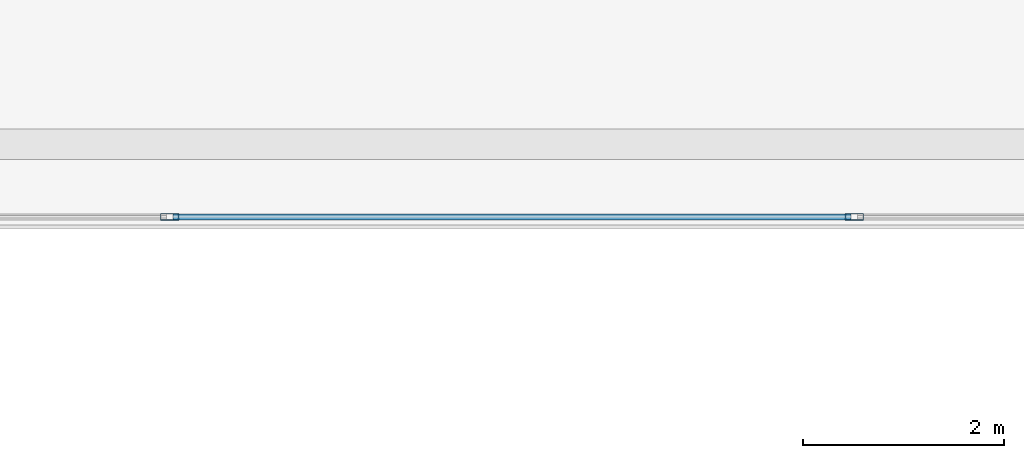
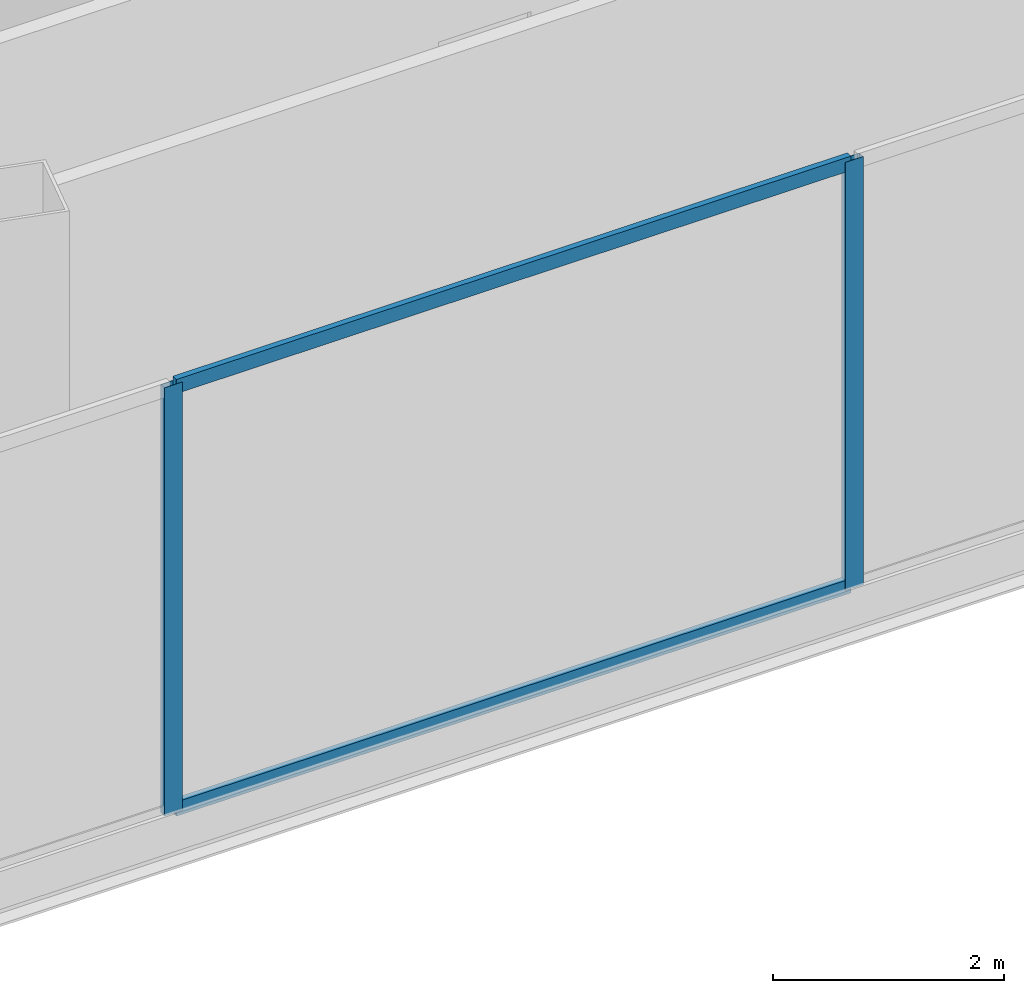
# One storey, part 9 of 42: 4 members, 1 element without a shape of its own.
"""IFC4 building model written with IfcOpenShell, lengths in metres."""

import ifcopenshell
import ifcopenshell.guid

model = None  # the IFC model being written
_history = None  # IfcOwnerHistory: only IFC2X3 demands one
_inside = {}  # id of a spatial element -> (the spatial element, [elements in it])
_under = {}  # id of a project, library or spatial element -> (it, [spatial elements below it])
_declared = {}  # id of a project -> (the project, [libraries it declares])
_typed = {}  # id of a type object -> (the type object, [elements of that type])
_made_of = {}  # id of a material, layer set ... -> (it, [elements and type objects made of it])


def new_model(schema):
    """Start an empty IFC model of exactly this schema.

    Asked for "IFC4X3", IfcOpenShell would pick the latest addendum, in which some entities
    have other attributes; the version numbers below select the first issue.
    IFC2X3 requires an IfcOwnerHistory on every rooted entity: one is made here for all.
    """
    global model, _history
    if schema == "IFC4X3":
        model = ifcopenshell.file(schema_version=(4, 3, 0, 0))
    else:
        model = ifcopenshell.file(schema=schema)
    _inside.clear()
    _under.clear()
    _declared.clear()
    _typed.clear()
    _made_of.clear()
    _history = None
    if model.schema == "IFC2X3":
        org = make("IfcOrganization", Name="unknown")
        user = make(
            "IfcPersonAndOrganization",
            ThePerson=make("IfcPerson", FamilyName="unknown"),
            TheOrganization=org,
        )
        app = make(
            "IfcApplication",
            ApplicationDeveloper=org,
            Version="unknown",
            ApplicationFullName="unknown",
            ApplicationIdentifier="unknown",
        )
        _history = make(
            "IfcOwnerHistory",
            OwningUser=user,
            OwningApplication=app,
            ChangeAction="ADDED",
            CreationDate=0,
        )
    return model


def make(cls, **values):
    """One entity of the class cls with the attributes given. An attribute that is None is left unset."""
    return model.create_entity(
        cls, **{name: value for name, value in values.items() if value is not None}
    )


def rooted(cls, **values):
    """An entity with a GlobalId (a new one), such as an element, a storey or a relation."""
    return make(cls, GlobalId=ifcopenshell.guid.new(), OwnerHistory=_history, **values)


def si_unit(unit_type, name, prefix=None):
    """IfcSIUnit, for example si_unit("LENGTHUNIT", "METRE", prefix="MILLI")."""
    return make("IfcSIUnit", UnitType=unit_type, Prefix=prefix, Name=name)


def assignment(units):
    """IfcUnitAssignment: the units of a project."""
    return None if units is None else make("IfcUnitAssignment", Units=units)


def point(xyz):
    """IfcCartesianPoint."""
    return None if xyz is None else make("IfcCartesianPoint", Coordinates=xyz)


def direction(xyz):
    """IfcDirection."""
    return None if xyz is None else make("IfcDirection", DirectionRatios=xyz)


def frame(location, z_axis=None, x_axis=None):
    """IfcAxis2Placement3D, a coordinate frame: its origin and axes. An axis left out is left unset."""
    return make(
        "IfcAxis2Placement3D",
        Location=point(location),
        Axis=direction(z_axis),
        RefDirection=direction(x_axis),
    )


def frame_2d(location, x_axis=None):
    """IfcAxis2Placement2D, a coordinate frame in the plane: its origin and x axis."""
    return make(
        "IfcAxis2Placement2D", Location=point(location), RefDirection=direction(x_axis)
    )


def origin():
    """The frame at (0, 0, 0) with its axes left unset."""
    return frame((0.0, 0.0, 0.0))


def origin_2d():
    """The frame at (0, 0) in the plane with its x axis left unset."""
    return frame_2d((0.0, 0.0))


def place(relative_to, where):
    """IfcLocalPlacement: puts the frame where relative to a parent placement (None: the world)."""
    return make(
        "IfcLocalPlacement", PlacementRelTo=relative_to, RelativePlacement=where
    )


def context(
    kind, dimensions, precision=None, world=None, true_north=None, identifier=None
):
    """IfcGeometricRepresentationContext, for example the 3D "Model" context."""
    return make(
        "IfcGeometricRepresentationContext",
        ContextIdentifier=identifier,
        ContextType=kind,
        CoordinateSpaceDimension=dimensions,
        Precision=precision,
        WorldCoordinateSystem=world,
        TrueNorth=true_north,
    )


def subcontext(parent, identifier, kind, view, scale=None):
    """IfcGeometricRepresentationSubContext, for example "Body" below "Model"."""
    return make(
        "IfcGeometricRepresentationSubContext",
        ContextIdentifier=identifier,
        ContextType=kind,
        ParentContext=parent,
        TargetScale=scale,
        TargetView=view,
    )


def project(units=None, contexts=None):
    """IfcProject with its units and contexts."""
    return rooted(
        "IfcProject",
        Name="project",
        RepresentationContexts=contexts,
        UnitsInContext=assignment(units),
    )


def spatial(cls, under=None, at=None, **own):
    """A site, building, storey or space (cls), placed at a placement, below another one or the project."""
    s = rooted(cls, ObjectPlacement=at, **own)
    if under is not None:
        _under.setdefault(under.id(), (under, []))[1].append(s)
    return s


def profile(cls, at=None, kind="AREA", **sizes):
    """A parametric profile (cls). Its sizes go by their IFC names, for example OverallWidth=200.0."""
    return make(cls, ProfileType=kind, Position=at, **sizes)


def hollow_rectangle(**sizes):
    """IfcRectangleHollowProfileDef."""
    return profile("IfcRectangleHollowProfileDef", **sizes)


def extrude(swept, where, along, depth):
    """IfcExtrudedAreaSolid: the profile swept, set in the frame where, extruded along a direction by depth."""
    return make(
        "IfcExtrudedAreaSolid",
        SweptArea=swept,
        Position=where,
        ExtrudedDirection=direction(along),
        Depth=depth,
    )


def shape(context_of_items, identifier, shape_type, items):
    """IfcShapeRepresentation: the items that make up one representation, for example the "Body"."""
    return make(
        "IfcShapeRepresentation",
        ContextOfItems=context_of_items,
        RepresentationIdentifier=identifier,
        RepresentationType=shape_type,
        Items=items,
    )


def source(mapping_origin, context_of_items, identifier, shape_type, items):
    """IfcRepresentationMap: a shape defined once, which mapped items show again and again."""
    return make(
        "IfcRepresentationMap",
        MappingOrigin=mapping_origin,
        MappedRepresentation=shape(context_of_items, identifier, shape_type, items),
    )


def transform(
    local_origin,
    x_axis=None,
    y_axis=None,
    z_axis=None,
    scale=None,
    scale2=None,
    scale3=None,
    uniform=True,
):
    """IfcCartesianTransformationOperator3D, or its non-uniform kind. x_axis, y_axis, z_axis: its Axis1, 2, 3."""
    if uniform:
        return make(
            "IfcCartesianTransformationOperator3D",
            Axis1=direction(x_axis),
            Axis2=direction(y_axis),
            LocalOrigin=point(local_origin),
            Scale=scale,
            Axis3=direction(z_axis),
        )
    return make(
        "IfcCartesianTransformationOperator3DnonUniform",
        Axis1=direction(x_axis),
        Axis2=direction(y_axis),
        LocalOrigin=point(local_origin),
        Scale=scale,
        Axis3=direction(z_axis),
        Scale2=scale2,
        Scale3=scale3,
    )


def mapped(mapping_source, mapping_target):
    """IfcMappedItem: shows the shape of a source again, moved by a transform."""
    return make(
        "IfcMappedItem", MappingSource=mapping_source, MappingTarget=mapping_target
    )


def material(Name=None, Category=None):
    """IfcMaterial."""
    return make("IfcMaterial", Name=Name, Category=Category)


def layer(
    of_material, thickness, ventilated=None, Name=None, Category=None, Priority=None
):
    """IfcMaterialLayer: one layer of a wall or slab, of a material (None: an air gap)."""
    return make(
        "IfcMaterialLayer",
        Material=of_material,
        LayerThickness=thickness,
        IsVentilated=ventilated,
        Name=Name,
        Category=Category,
        Priority=Priority,
    )


def layer_set(layers, Name=None):
    """IfcMaterialLayerSet."""
    return make("IfcMaterialLayerSet", MaterialLayers=layers, LayerSetName=Name)


def material_profile(
    of_material, cross_section, Name=None, Category=None, Priority=None
):
    """IfcMaterialProfile: a cross section and its material."""
    return make(
        "IfcMaterialProfile",
        Name=Name,
        Material=of_material,
        Profile=cross_section,
        Priority=Priority,
        Category=Category,
    )


def profile_set(profiles, Name=None, composite=None):
    """IfcMaterialProfileSet."""
    return make(
        "IfcMaterialProfileSet",
        Name=Name,
        MaterialProfiles=profiles,
        CompositeProfile=composite,
    )


def made_of(thing, what):
    """Note that an element or type object is made of a material, layer set ...; save() writes the relation."""
    if what is not None:
        _made_of.setdefault(what.id(), (what, []))[1].append(thing)
    return thing


def type_object(cls, material=None, **own):
    """A type object (cls), such as IfcWallType, which elements share."""
    return made_of(rooted(cls, **own), material)


def element(
    cls,
    number,
    at=None,
    inside=None,
    cuts=None,
    type_object=None,
    material=None,
    context=None,
    identifier="Body",
    shape_type=None,
    held_by="IfcProductDefinitionShape",
    body=None,
    shapes=None,
    **own,
):
    """One element of the class cls, such as IfcWall. Its Tag is "e" and its number.

    at: its placement. inside: the storey or other place that contains it. cuts: it is an
    opening in that element (IfcRelVoidsElement). A single representation is given by context,
    identifier, shape_type and body (its items); several are given by shapes. held_by: the class
    of the entity that holds the representations. save() writes the other relations.
    """
    e = rooted(cls, Tag="e%d" % number, ObjectPlacement=at, **own)
    if body is not None:
        shapes = [shape(context, identifier, shape_type, body)]
    if shapes is not None:
        e.Representation = make(held_by, Representations=shapes)
    if inside is not None:
        _inside.setdefault(inside.id(), (inside, []))[1].append(e)
    if cuts is not None:
        rooted(
            "IfcRelVoidsElement", RelatingBuildingElement=cuts, RelatedOpeningElement=e
        )
    if type_object is not None:
        _typed.setdefault(type_object.id(), (type_object, []))[1].append(e)
    return made_of(e, material)


def aggregate(whole, parts):
    """IfcRelAggregates: a whole, such as a stair, and the parts it consists of."""
    return rooted("IfcRelAggregates", RelatingObject=whole, RelatedObjects=parts)


def save(model, path):
    """Write the relations noted so far, then the file.

    IfcRelAggregates (storeys below a building ...), IfcRelContainedInSpatialStructure (elements
    in a storey), IfcRelDefinesByType, IfcRelAssociatesMaterial and IfcRelDeclares: one each for
    every whole, place, type object, material and project.
    """
    for whole, parts in _under.values():
        aggregate(whole, parts)
    for where, things in _inside.values():
        rooted(
            "IfcRelContainedInSpatialStructure",
            RelatedElements=things,
            RelatingStructure=where,
        )
    for kind, things in _typed.values():
        rooted("IfcRelDefinesByType", RelatedObjects=things, RelatingType=kind)
    for what, things in _made_of.values():
        rooted("IfcRelAssociatesMaterial", RelatedObjects=things, RelatingMaterial=what)
    for by, libraries in _declared.values():
        rooted("IfcRelDeclares", RelatingContext=by, RelatedDefinitions=libraries)
    model.write(path)


model = new_model("IFC4")

# Units and contexts
model_context = context("Model", 3, precision=1e-05, world=origin(), true_north=direction((0.0, 1.0)))
body_context = subcontext(model_context, "Body", "Model", "MODEL_VIEW")
ifc_project = project(units=[si_unit("LENGTHUNIT", "METRE"), si_unit("AREAUNIT", "SQUARE_METRE"), si_unit("VOLUMEUNIT", "CUBIC_METRE"), si_unit("PLANEANGLEUNIT", "RADIAN"), si_unit("MASSUNIT", "GRAM", prefix="KILO"), si_unit("THERMODYNAMICTEMPERATUREUNIT", "KELVIN"), si_unit("POWERUNIT", "WATT")], contexts=[model_context])

# Site, building, storey
site_placement = place(None, origin())
site = spatial("IfcSite", under=ifc_project, at=site_placement, CompositionType="ELEMENT")
building_placement = place(site_placement, origin())
building = spatial("IfcBuilding", under=site, at=building_placement, Name="Yunzhuo Pagoda Commons", CompositionType="ELEMENT")
storey_placement = place(building_placement, frame((0.0, 0.0, 4.800048828125)))
storey = spatial("IfcBuildingStorey", under=building, at=storey_placement, Name="L02", CompositionType="ELEMENT", Elevation=4.800048828125)

# Curtain wall, members
ifc_material = material(Name="Anodized aluminium 6063-T6", Category="aluminium")
ifc_layer = layer(ifc_material, 0.179931640625)
ifc_layer_set = layer_set([ifc_layer], Name="Anodized aluminium 6063-T6")
curtain_wall_type = type_object("IfcCurtainWallType", Name="CW-POD Waterfront Podium Curtain Wall", PredefinedType="NOTDEFINED", material=ifc_layer_set)
curtain_wall_placement = place(storey_placement, origin())
curtain_wall = element("IfcCurtainWall", 1, at=curtain_wall_placement, inside=storey, type_object=curtain_wall_type, Name="L02 curtain wall CW-L02-S3", PredefinedType="NOTDEFINED")
ifc_material_profile_1 = material_profile(ifc_material, hollow_rectangle(XDim=0.06494140625, YDim=0.179931640625, WallThickness=0.00390625, at=origin_2d()), Name="Anodized aluminium 6063-T6")
ifc_profile_set_1 = profile_set([ifc_material_profile_1], Name="Anodized aluminium 6063-T6")
member_type_1 = type_object("IfcMemberType", Name="CW-POD-M Mullion RHS 180x65x4", PredefinedType="MULLION", material=ifc_profile_set_1)
shared_shape_1 = source(origin(), body_context, "Body", "SweptSolid", [
    extrude(hollow_rectangle(XDim=0.06494140625, YDim=0.179931640625, WallThickness=0.00390625, at=origin_2d()), origin(), (0.0, 0.0, 1.0), 4.52001953125),
])
member_1_placement = place(storey_placement, frame((41.199951171875, 6.080078125, 0.0), z_axis=(0.0, 0.0, 1.0), x_axis=(0.0, 1.0, 0.0)))
member_1 = element("IfcMember", 2, at=member_1_placement, type_object=member_type_1, Name="CW mullion 2", PredefinedType="MULLION", context=body_context, shape_type="MappedRepresentation", body=[
    mapped(shared_shape_1, transform((0.0, 0.0, 0.0), scale=1.0)),
])
member_2_placement = place(storey_placement, frame((48.0, 6.080078125, 0.0), z_axis=(0.0, 0.0, 1.0), x_axis=(0.0, 1.0, 0.0)))
member_2 = element("IfcMember", 3, at=member_2_placement, type_object=member_type_1, Name="CW mullion 3", PredefinedType="MULLION", context=body_context, shape_type="MappedRepresentation", body=[
    mapped(shared_shape_1, transform((0.0, 0.0, 0.0), scale=1.0)),
])
ifc_material_profile_2 = material_profile(ifc_material, hollow_rectangle(XDim=0.06005859375, YDim=0.14990234375, WallThickness=0.00390625, at=origin_2d()), Name="Anodized aluminium 6063-T6")
ifc_profile_set_2 = profile_set([ifc_material_profile_2], Name="Anodized aluminium 6063-T6")
member_type_2 = type_object("IfcMemberType", Name="CW-POD-T Transom RHS 150x60x4", PredefinedType="USERDEFINED", material=ifc_profile_set_2)
shared_shape_2 = source(origin(), body_context, "Body", "SweptSolid", [
    extrude(hollow_rectangle(XDim=0.06005859375, YDim=0.14990234375, WallThickness=0.00390625, at=origin_2d()), origin(), (0.0, 0.0, 1.0), 6.735107421875),
])
member_3_placement = place(storey_placement, frame((41.232421875, 6.080078125, 0.030029296875), z_axis=(1.0, 0.0, 0.0), x_axis=(0.0, 1.0, 0.0)))
member_3 = element("IfcMember", 4, at=member_3_placement, type_object=member_type_2, Name="CW transom 2.1", ObjectType="TRANSOM", PredefinedType="USERDEFINED", context=body_context, shape_type="MappedRepresentation", body=[
    mapped(shared_shape_2, transform((0.0, 0.0, 0.0), scale=1.0)),
])
member_4_placement = place(storey_placement, frame((41.232421875, 6.080078125, 4.489990234375), z_axis=(1.0, 0.0, 0.0), x_axis=(0.0, 1.0, 0.0)))
member_4 = element("IfcMember", 5, at=member_4_placement, type_object=member_type_2, Name="CW transom 2.2", ObjectType="TRANSOM", PredefinedType="USERDEFINED", context=body_context, shape_type="MappedRepresentation", body=[
    mapped(shared_shape_2, transform((0.0, 0.0, 0.0), scale=1.0)),
])
aggregate(curtain_wall, [member_1, member_2, member_3, member_4])

save(model, "model.ifc")
